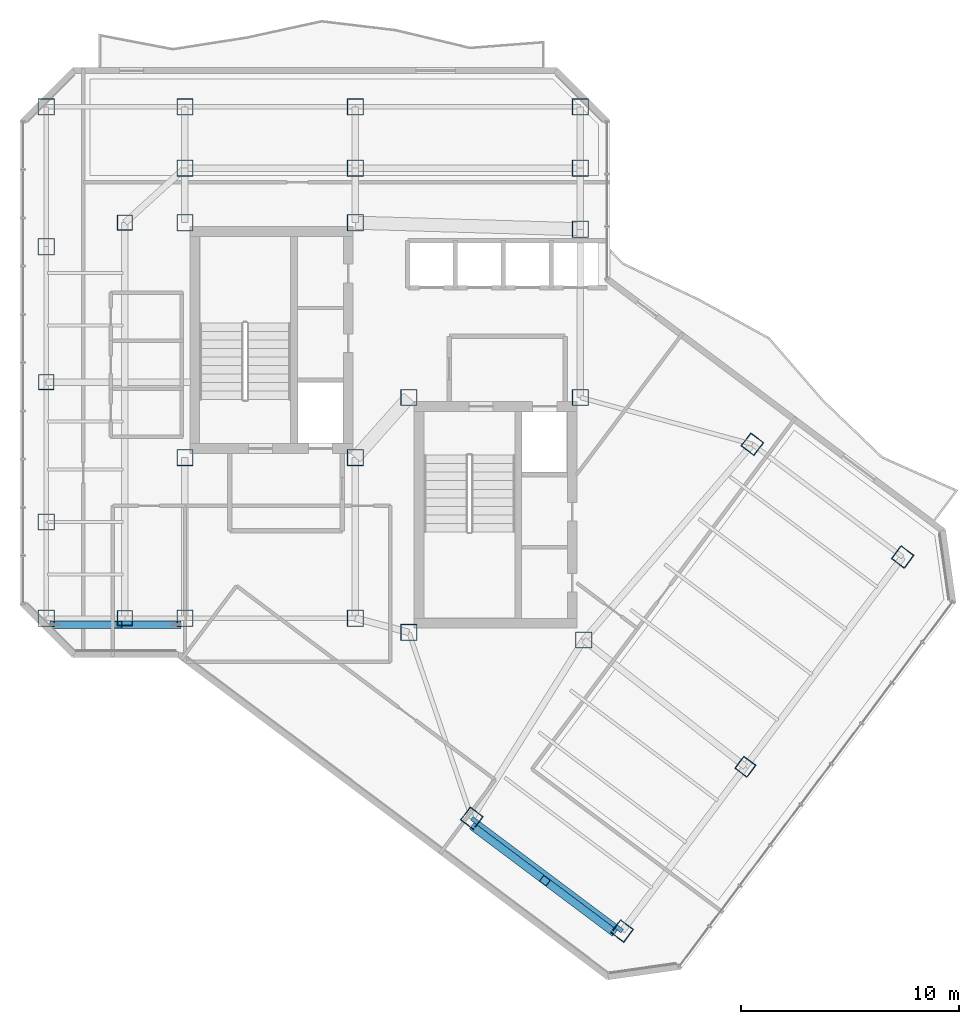
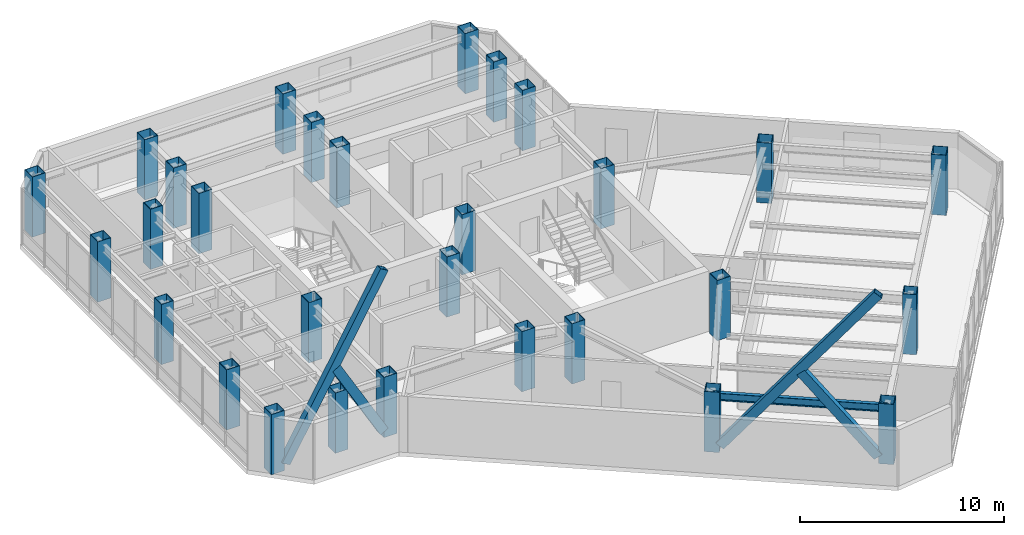
# One storey, part 1 of 24: 29 columns, 4 members, 1 beam.
"""IFC4 building model written with IfcOpenShell, lengths in metres."""

from ifc_helpers import new_model, si_unit, direction, frame, origin, origin_2d, place, context, subcontext, project, spatial, hollow_rectangle, i_section, extrude, material, material_profile, profile_set, type_object, element, save


model = new_model("IFC4")

# Units and contexts
model_context = context("Model", 3, precision=1e-05, world=origin(), true_north=direction((0.0, 1.0)))
body_context = subcontext(model_context, "Body", "Model", "MODEL_VIEW")
ifc_project = project(units=[si_unit("LENGTHUNIT", "METRE"), si_unit("AREAUNIT", "SQUARE_METRE"), si_unit("VOLUMEUNIT", "CUBIC_METRE"), si_unit("PLANEANGLEUNIT", "RADIAN"), si_unit("MASSUNIT", "GRAM", prefix="KILO")], contexts=[model_context])

# Site, building, storey
site_placement = place(None, origin())
site = spatial("IfcSite", under=ifc_project, at=site_placement, CompositionType="ELEMENT")
building_placement = place(site_placement, origin())
building = spatial("IfcBuilding", under=site, at=building_placement, Name="Hatsunagi Terrace Concourse", CompositionType="ELEMENT")
storey_placement = place(building_placement, frame((0.0, 0.0, 191.550048828125)))
storey = spatial("IfcBuildingStorey", under=building, at=storey_placement, Name="L50", CompositionType="ELEMENT", Elevation=191.550048828125)

# Columns
ifc_material_1 = material(Name="Steel BCP325T", Category="steel")
ifc_material_profile_1 = material_profile(ifc_material_1, hollow_rectangle(XDim=0.699951171875, YDim=0.699951171875, WallThickness=0.028076171875, at=origin_2d()), Name="BCP-700x700x28")
ifc_profile_set_1 = profile_set([ifc_material_profile_1], Name="Steel BCP325T")
column_type_1 = type_object("IfcColumnType", Name="TowerBoxColumn_700x700x28", PredefinedType="COLUMN", material=ifc_profile_set_1)
for number, where, z_axis, x_axis, name in (
    (1, (22.800048828125, 25.199951171875, 0.0), (0.0, 0.0, 1.0), (1.0, 0.0, 0.0), "Column C-08 L50-CW1"),
    (2, (22.800048828125, 43.300048828125, 0.0), (0.0, 0.0, 1.0), (1.0, 0.0, 0.0), "Column C-08 L50-CW2"),
    (3, (19.199951171875, 36.0, 0.0), (0.0, 0.0, 1.0), (1.0, 0.0, 0.0), "Column C-08 L50-WT2"),
    (4, (51.199951171875, 18.39990234375, 0.0), (0.0, 0.0, 1.0), (0.799999996291, -0.600000004945, 0.0), "Column C-08 L50-SEM2"),
):
    element("IfcColumn", number, at=place(storey_placement, frame(where, z_axis=z_axis, x_axis=x_axis)), inside=storey, type_object=column_type_1, Name=name, PredefinedType="COLUMN", context=body_context, shape_type="SweptSolid", body=[
        extrude(hollow_rectangle(XDim=0.699951171875, YDim=0.699951171875, WallThickness=0.028076171875, at=origin_2d()), origin(), (0.0, 0.0, 1.0), 3.599853515625),
    ])
ifc_material_2 = material(Name="Steel BCP325T", Category="steel")
ifc_material_profile_2 = material_profile(ifc_material_2, hollow_rectangle(XDim=0.75, YDim=0.75, WallThickness=0.028076171875, at=origin_2d()), Name="BCP-750x750x28")
ifc_profile_set_2 = profile_set([ifc_material_profile_2], Name="Steel BCP325T")
column_type_2 = type_object("IfcColumnType", Name="TowerBoxColumn_750x750x28", PredefinedType="COLUMN", material=ifc_profile_set_2)
for number, where, z_axis, x_axis, name in (
    (5, (25.550048828125, 32.550048828125, 0.0), (0.0, 0.0, 1.0), (1.0, 0.0, 0.0), "Column C-07 L50-CASW"),
    (6, (33.35009765625, 32.550048828125, 0.0), (0.0, 0.0, 1.0), (1.0, 0.0, 0.0), "Column C-07 L50-CASE"),
    (7, (25.550048828125, 43.300048828125, 0.0), (0.0, 0.0, 1.0), (1.0, 0.0, 0.0), "Column C-07 L50-CANW"),
    (8, (33.35009765625, 43.300048828125, 0.0), (0.0, 0.0, 1.0), (1.0, 0.0, 0.0), "Column C-07 L50-CANE"),
    (9, (35.800048828125, 24.550048828125, 0.0), (0.0, 0.0, 1.0), (1.0, 0.0, 0.0), "Column C-07 L50-CBSW"),
    (10, (43.800048828125, 24.199951171875, 0.0), (0.0, 0.0, 1.0), (1.0, 0.0, 0.0), "Column C-07 L50-CBSE"),
    (11, (35.800048828125, 35.300048828125, 0.0), (0.0, 0.0, 1.0), (1.0, 0.0, 0.0), "Column C-07 L50-CBNW"),
    (12, (43.64990234375, 35.300048828125, 0.0), (0.0, 0.0, 1.0), (1.0, 0.0, 0.0), "Column C-07 L50-CBNE"),
    (13, (25.550048828125, 25.199951171875, 0.0), (0.0, 0.0, 1.0), (1.0, 0.0, 0.0), "Column C-07 L50-K1"),
    (14, (33.35009765625, 25.199951171875, 0.0), (0.0, 0.0, 1.0), (1.0, 0.0, 0.0), "Column C-07 L50-K2"),
    (15, (43.64990234375, 43.0, 0.0), (0.0, 0.0, 1.0), (1.0, 0.0, 0.0), "Column C-07 L50-K3"),
    (16, (25.550048828125, 45.800048828125, 0.0), (0.0, 0.0, 1.0), (1.0, 0.0, 0.0), "Column C-07 L50-CN1"),
    (17, (33.35009765625, 45.800048828125, 0.0), (0.0, 0.0, 1.0), (1.0, 0.0, 0.0), "Column C-07 L50-CN2"),
    (18, (43.64990234375, 45.800048828125, 0.0), (0.0, 0.0, 1.0), (1.0, 0.0, 0.0), "Column C-07 L50-CN3"),
    (19, (19.199951171875, 48.60009765625, 0.0), (0.0, 0.0, 1.0), (1.0, 0.0, 0.0), "Column C-07 L50-WN3"),
    (20, (25.550048828125, 48.60009765625, 0.0), (0.0, 0.0, 1.0), (1.0, 0.0, 0.0), "Column C-07 L50-WN4"),
    (21, (33.35009765625, 48.60009765625, 0.0), (0.0, 0.0, 1.0), (1.0, 0.0, 0.0), "Column C-07 L50-WN5"),
    (22, (43.64990234375, 48.60009765625, 0.0), (0.0, 0.0, 1.0), (1.0, 0.0, 0.0), "Column C-07 L50-WN6"),
    (23, (19.199951171875, 25.199951171875, 0.0), (0.0, 0.0, 1.0), (1.0, 0.0, 0.0), "Column C-07 L50-WS3"),
    (24, (19.199951171875, 29.60009765625, 0.0), (0.0, 0.0, 1.0), (1.0, 0.0, 0.0), "Column C-07 L50-WR1"),
    (25, (19.199951171875, 42.199951171875, 0.0), (0.0, 0.0, 1.0), (1.0, 0.0, 0.0), "Column C-07 L50-WR2"),
    (26, (38.679931640625, 16.0400390625, 0.0), (0.0, 0.0, 1.0), (0.799999996291, -0.600000004945, 0.0), "Column C-07 L50-SES1"),
    (27, (51.52001953125, 33.159912109375, 0.0), (0.0, 0.0, 1.0), (0.799999996291, -0.600000004945, 0.0), "Column C-07 L50-SEN1"),
    (28, (45.56005859375, 10.8798828125, 0.0), (0.0, 0.0, 1.0), (0.799999996291, -0.600000004945, 0.0), "Column C-07 L50-SES2"),
    (29, (58.39990234375, 28.0, 0.0), (0.0, 0.0, 1.0), (0.799999996291, -0.600000004945, 0.0), "Column C-07 L50-SEN2"),
):
    element("IfcColumn", number, at=place(storey_placement, frame(where, z_axis=z_axis, x_axis=x_axis)), inside=storey, type_object=column_type_2, Name=name, PredefinedType="COLUMN", context=body_context, shape_type="SweptSolid", body=[
        extrude(hollow_rectangle(XDim=0.75, YDim=0.75, WallThickness=0.028076171875, at=origin_2d()), origin(), (0.0, 0.0, 1.0), 3.599853515625),
    ])

# Beam
ifc_material_3 = material(Name="Steel SN490B", Category="steel")
ifc_material_profile_3 = material_profile(ifc_material_3, i_section(OverallWidth=0.199951171875, OverallDepth=0.449951171875, WebThickness=0.009033203125, FlangeThickness=0.013916015625, FilletRadius=0.01611328125, at=origin_2d()), Name="H-450x200x9x14")
ifc_profile_set_3 = profile_set([ifc_material_profile_3], Name="Steel SN490B")
beam_type = type_object("IfcBeamType", Name="PerimeterSpandrel_H_450x200", PredefinedType="SPANDREL", material=ifc_profile_set_3)
beam_placement = place(storey_placement, frame((38.679931640625, 16.0400390625, 3.125), z_axis=(0.799996593451, -0.600004542038, 0.0), x_axis=(0.600004542038, 0.799996593451, 0.0)))
element("IfcBeam", 30, at=beam_placement, inside=storey, type_object=beam_type, Name="Beam SP-02 BM-L50-SE-SW2", PredefinedType="SPANDREL", context=body_context, shape_type="SweptSolid", body=[
    extrude(i_section(OverallWidth=0.199951171875, OverallDepth=0.449951171875, WebThickness=0.009033203125, FlangeThickness=0.013916015625, FilletRadius=0.01611328125, at=origin_2d()), origin(), (0.0, 0.0, 1.0), 8.60009765625),
])

# Members
ifc_material_4 = material(Name="Steel SN490B", Category="steel")
ifc_material_profile_4 = material_profile(ifc_material_4, hollow_rectangle(XDim=0.35009765625, YDim=0.5, WallThickness=0.02197265625, at=origin_2d()), Name="RHS-500x350x22")
ifc_profile_set_4 = profile_set([ifc_material_profile_4], Name="Steel SN490B")
member_type = type_object("IfcMemberType", Name="PerimeterXBrace_Upper_RHS_500x350x22", PredefinedType="BRACE", material=ifc_profile_set_4)
member_1_placement = place(storey_placement, frame((19.60009765625, 24.89990234375, 0.43994140625), z_axis=(0.497769917846, 0.0, 0.867309119569), x_axis=(0.0, 1.0, 0.0)))
element("IfcMember", 31, at=member_1_placement, inside=storey, type_object=member_type, Name="Perimeter X-Brace XB-03 XB-L50-W1A", PredefinedType="BRACE", context=body_context, shape_type="SweptSolid", body=[
    extrude(hollow_rectangle(XDim=0.35009765625, YDim=0.5, WallThickness=0.02197265625, at=origin_2d()), origin(), (0.0, 0.0, 1.0), 11.1494140625),
])
member_2_placement = place(storey_placement, frame((22.445068359375, 24.89990234375, 5.154052734375), z_axis=(0.497671673411, 0.0, -0.867365497057), x_axis=(0.0, 1.0, 0.0)))
element("IfcMember", 32, at=member_2_placement, inside=storey, type_object=member_type, Name="Perimeter X-Brace Split Lower XB-03 XB-L50-W1B2", PredefinedType="BRACE", context=body_context, shape_type="SweptSolid", body=[
    extrude(hollow_rectangle(XDim=0.35009765625, YDim=0.5, WallThickness=0.02197265625, at=origin_2d()), origin(), (0.0, 0.0, 1.0), 5.43505859375),
])
member_3_placement = place(storey_placement, frame((38.83203125, 15.575927734375, 0.43994140625), z_axis=(0.502267801374, -0.376695938203, 0.778349038571), x_axis=(0.599994991944, 0.800003756017, 0.0)))
element("IfcMember", 33, at=member_3_placement, inside=storey, type_object=member_type, Name="Perimeter X-Brace XB-03 XB-L50-SEA", PredefinedType="BRACE", context=body_context, shape_type="SweptSolid", body=[
    extrude(hollow_rectangle(XDim=0.35009765625, YDim=0.5, WallThickness=0.02197265625, at=origin_2d()), origin(), (0.0, 0.0, 1.0), 12.423583984375),
])
member_4_placement = place(storey_placement, frame((42.02197265625, 13.18310546875, 5.166015625), z_axis=(0.502311931181, -0.376663585312, -0.778336217385), x_axis=(0.599928272603, 0.800053790524, 0.0)))
element("IfcMember", 34, at=member_4_placement, inside=storey, type_object=member_type, Name="Perimeter X-Brace Split Lower XB-03 XB-L50-SEB2", PredefinedType="BRACE", context=body_context, shape_type="SweptSolid", body=[
    extrude(hollow_rectangle(XDim=0.35009765625, YDim=0.5, WallThickness=0.02197265625, at=origin_2d()), origin(), (0.0, 0.0, 1.0), 6.072021484375),
])

save(model, "model.ifc")
